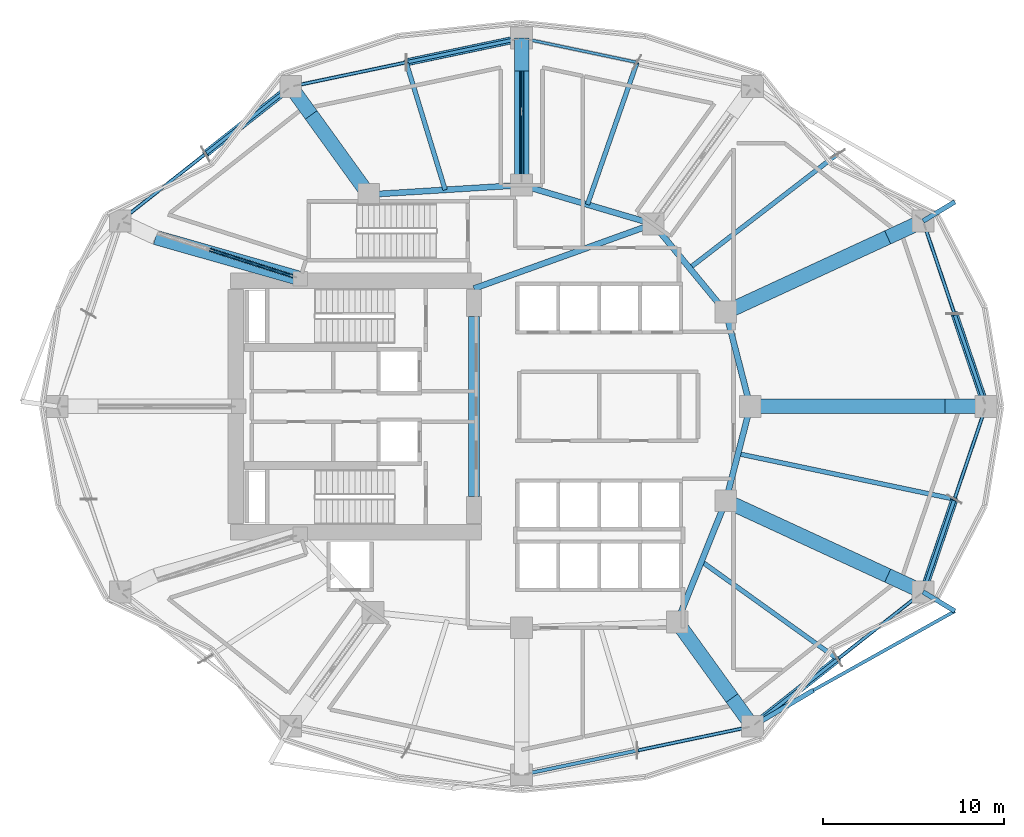
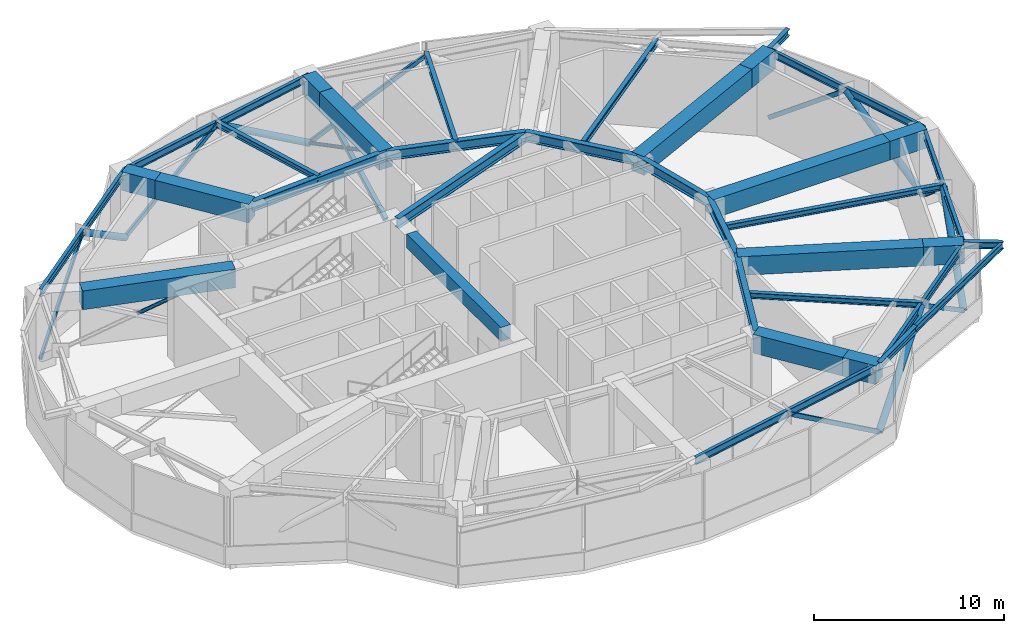
# One storey, part 2 of 12: 36 beams, 16 members.
"""IFC4 building model written with IfcOpenShell, lengths in metres."""

from ifc_helpers import new_model, si_unit, direction, frame, origin, origin_2d, place, context, subcontext, project, spatial, rectangle, hollow_rectangle, hollow_circle, i_section, extrude, material, material_profile, profile_set, type_object, element, save


model = new_model("IFC4")

# Units and contexts
model_context = context("Model", 3, precision=1e-05, world=origin(), true_north=direction((0.0, 1.0)))
body_context = subcontext(model_context, "Body", "Model", "MODEL_VIEW")
ifc_project = project(units=[si_unit("LENGTHUNIT", "METRE"), si_unit("AREAUNIT", "SQUARE_METRE"), si_unit("VOLUMEUNIT", "CUBIC_METRE"), si_unit("PLANEANGLEUNIT", "RADIAN"), si_unit("MASSUNIT", "GRAM", prefix="KILO")], contexts=[model_context])

# Site, building, storey
site_placement = place(None, origin())
site = spatial("IfcSite", under=ifc_project, at=site_placement, CompositionType="ELEMENT")
building_placement = place(site_placement, origin())
building = spatial("IfcBuilding", under=site, at=building_placement, Name="Kolvaren Gate Tower and Convention Centre", CompositionType="ELEMENT")
storey_placement = place(building_placement, frame((0.0, 0.0, 95.800048828125)))
storey = spatial("IfcBuildingStorey", under=building, at=storey_placement, Name="L23", CompositionType="ELEMENT", Elevation=95.800048828125)

# Beams
ifc_material_1 = material(Name="Structural steel ASTM A992 Grade 345 MPa", Category="steel")
ifc_material_profile_1 = material_profile(ifc_material_1, i_section(OverallWidth=0.260009765625, OverallDepth=0.419921875, WebThickness=0.013427734375, FlangeThickness=0.0224609375, at=origin_2d()), Name="W410X132")
ifc_profile_set_1 = profile_set([ifc_material_profile_1], Name="Structural steel ASTM A992 Grade 345 MPa")
beam_type_1 = type_object("IfcBeamType", Name="STR-BM-W410X132", PredefinedType="BEAM", material=ifc_profile_set_1)
beam_1_placement = place(storey_placement, frame((52.248779296875, 37.218505859375, 4.510498046875), z_axis=(0.855646014578, 0.517561491745, 0.0), x_axis=(-0.517561491745, 0.855646014578, 0.0)))
element("IfcBeam", 1, at=beam_1_placement, inside=storey, type_object=beam_type_1, Name="Tower L24 Planted Balcony Outrigger Cantilever BC-1A", PredefinedType="BEAM", context=body_context, shape_type="SweptSolid", body=[
    extrude(i_section(OverallWidth=0.260009765625, OverallDepth=0.419921875, WebThickness=0.013427734375, FlangeThickness=0.0224609375, at=origin_2d()), origin(), (0.0, 0.0, 1.0), 2.047119140625),
])
beam_2_placement = place(storey_placement, frame((42.846435546875, 9.372802734375, 4.510498046875), z_axis=(0.860504998591, 0.50944199611, 0.0), x_axis=(-0.50944199611, 0.860504998591, 0.0)))
element("IfcBeam", 2, at=beam_2_placement, inside=storey, type_object=beam_type_1, Name="Tower L24 Planted Balcony Outrigger Cantilever BC-4A", PredefinedType="BEAM", context=body_context, shape_type="SweptSolid", body=[
    extrude(i_section(OverallWidth=0.260009765625, OverallDepth=0.419921875, WebThickness=0.013427734375, FlangeThickness=0.0224609375, at=origin_2d()), origin(), (0.0, 0.0, 1.0), 3.89990234375),
])
beam_3_placement = place(storey_placement, frame((52.248779296875, 16.781494140625, 4.510498046875), z_axis=(0.855646014578, -0.517561491745, 0.0), x_axis=(0.517561491745, 0.855646014578, 0.0)))
element("IfcBeam", 3, at=beam_3_placement, inside=storey, type_object=beam_type_1, Name="Tower L24 Planted Balcony Outrigger Cantilever BC-4B", PredefinedType="BEAM", context=body_context, shape_type="SweptSolid", body=[
    extrude(i_section(OverallWidth=0.260009765625, OverallDepth=0.419921875, WebThickness=0.013427734375, FlangeThickness=0.0224609375, at=origin_2d()), origin(), (0.0, 0.0, 1.0), 2.047119140625),
])
ifc_material_profile_2 = material_profile(ifc_material_1, i_section(OverallWidth=0.327880859375, OverallDepth=0.6279296875, WebThickness=0.0166015625, FlangeThickness=0.027587890625, at=origin_2d()), Name="W610X217")
ifc_profile_set_2 = profile_set([ifc_material_profile_2], Name="Structural steel ASTM A992 Grade 345 MPa")
beam_type_2 = type_object("IfcBeamType", Name="STR-BM-W610X217", PredefinedType="BEAM", material=ifc_profile_set_2)
beam_4_placement = place(storey_placement, frame((42.72509765625, 27.0, 4.406005859375), z_axis=(-0.250091133936, -0.968222301296, 0.0), x_axis=(0.968222301296, -0.250091133936, 0.0)))
element("IfcBeam", 4, at=beam_4_placement, inside=storey, type_object=beam_type_2, Name="Tower L23 Primary Ring Girder G-01", PredefinedType="BEAM", context=body_context, shape_type="SweptSolid", body=[
    extrude(i_section(OverallWidth=0.327880859375, OverallDepth=0.6279296875, WebThickness=0.0166015625, FlangeThickness=0.027587890625, at=origin_2d()), origin(), (0.0, 0.0, 1.0), 5.3701171875),
])
beam_5_placement = place(storey_placement, frame((41.382080078125, 32.199462890625, 4.406005859375), z_axis=(-0.635884066011, 0.771784590798, 0.0), x_axis=(-0.771784590798, -0.635884066011, 0.0)))
element("IfcBeam", 5, at=beam_5_placement, inside=storey, type_object=beam_type_2, Name="Tower L23 Primary Ring Girder G-02", PredefinedType="BEAM", context=body_context, shape_type="SweptSolid", body=[
    extrude(i_section(OverallWidth=0.327880859375, OverallDepth=0.6279296875, WebThickness=0.0166015625, FlangeThickness=0.027587890625, at=origin_2d()), origin(), (0.0, 0.0, 1.0), 6.291259765625),
])
beam_6_placement = place(storey_placement, frame((37.381591796875, 37.054931640625, 4.406005859375), z_axis=(-0.958980837827, 0.283470902706, 0.0), x_axis=(-0.283470902706, -0.958980837827, 0.0)))
element("IfcBeam", 6, at=beam_6_placement, inside=storey, type_object=beam_type_2, Name="Tower L23 Primary Ring Girder G-03", PredefinedType="BEAM", context=body_context, shape_type="SweptSolid", body=[
    extrude(i_section(OverallWidth=0.327880859375, OverallDepth=0.6279296875, WebThickness=0.0166015625, FlangeThickness=0.027587890625, at=origin_2d()), origin(), (0.0, 0.0, 1.0), 7.56689453125),
])
beam_7_placement = place(storey_placement, frame((30.125, 39.199951171875, 4.406005859375), z_axis=(-0.998078258568, -0.06196603726, 0.0), x_axis=(0.06196603726, -0.998078258568, 0.0)))
element("IfcBeam", 7, at=beam_7_placement, inside=storey, type_object=beam_type_2, Name="Tower L23 Primary Ring Girder G-04", PredefinedType="BEAM", context=body_context, shape_type="SweptSolid", body=[
    extrude(i_section(OverallWidth=0.327880859375, OverallDepth=0.6279296875, WebThickness=0.0166015625, FlangeThickness=0.027587890625, at=origin_2d()), origin(), (0.0, 0.0, 1.0), 8.443115234375),
])
beam_8_placement = place(storey_placement, frame((38.6982421875, 15.12060546875, 4.406005859375), z_axis=(0.372811100169, 0.927907260232, 0.0), x_axis=(-0.927907260232, 0.372811100169, 0.0)))
element("IfcBeam", 8, at=beam_8_placement, inside=storey, type_object=beam_type_2, Name="Tower L23 Primary Ring Girder G-09", PredefinedType="BEAM", context=body_context, shape_type="SweptSolid", body=[
    extrude(i_section(OverallWidth=0.327880859375, OverallDepth=0.6279296875, WebThickness=0.0166015625, FlangeThickness=0.027587890625, at=origin_2d()), origin(), (0.0, 0.0, 1.0), 7.198974609375),
])
beam_9_placement = place(storey_placement, frame((27.5, 33.5, 4.406005859375), z_axis=(0.940961479908, 0.338513653093, 0.0), x_axis=(-0.338513653093, 0.940961479908, 0.0)))
element("IfcBeam", 9, at=beam_9_placement, inside=storey, type_object=beam_type_2, Name="Tower L23 Primary Ring Girder G-10", PredefinedType="BEAM", context=body_context, shape_type="SweptSolid", body=[
    extrude(i_section(OverallWidth=0.327880859375, OverallDepth=0.6279296875, WebThickness=0.0166015625, FlangeThickness=0.027587890625, at=origin_2d()), origin(), (0.0, 0.0, 1.0), 10.501708984375),
])
beam_10_placement = place(storey_placement, frame((42.72509765625, 27.0, 4.406005859375), z_axis=(-0.250091133936, 0.968222301296, 0.0), x_axis=(-0.968222301296, -0.250091133936, 0.0)))
element("IfcBeam", 10, at=beam_10_placement, inside=storey, type_object=beam_type_2, Name="Tower L23 Primary Ring Girder G-12", PredefinedType="BEAM", context=body_context, shape_type="SweptSolid", body=[
    extrude(i_section(OverallWidth=0.327880859375, OverallDepth=0.6279296875, WebThickness=0.0166015625, FlangeThickness=0.027587890625, at=origin_2d()), origin(), (0.0, 0.0, 1.0), 5.3701171875),
])

# Members
ifc_material_2 = material(Name="Structural steel ASTM A500 Grade C 345 MPa", Category="steel")
ifc_material_profile_3 = material_profile(ifc_material_2, hollow_circle(Radius=0.202880859375, WallThickness=0.015869140625, at=origin_2d()), Name="CHS406X15.9")
ifc_profile_set_3 = profile_set([ifc_material_profile_3], Name="Structural steel ASTM A500 Grade C 345 MPa")
member_type_1 = type_object("IfcMemberType", Name="STR-BR-CHS406", PredefinedType="BRACE", material=ifc_profile_set_3)
member_1_placement = place(storey_placement, frame((55.71240234375, 27.0, 0.25), z_axis=(-0.252478300136, 0.744940908678, 0.617509312106), x_axis=(-0.947082902393, -0.320989058996, 0.0)))
element("IfcMember", 11, at=member_1_placement, inside=storey, type_object=member_type_1, Name="Perimeter Belt Truss Diagonal BT-L23-01A", PredefinedType="BRACE", context=body_context, shape_type="SweptSolid", body=[
    extrude(hollow_circle(Radius=0.202880859375, WallThickness=0.015869140625, at=origin_2d()), origin(), (0.0, 0.0, 1.0), 6.85888671875),
])
member_2_placement = place(storey_placement, frame((30.125, 47.300048828125, 0.25), z_axis=(-0.819906333973, -0.172302121771, 0.545953828034), x_axis=(0.205656460373, -0.978624248783, 0.0)))
element("IfcMember", 12, at=member_2_placement, inside=storey, type_object=member_type_1, Name="Perimeter Belt Truss Diagonal BT-L23-04A", PredefinedType="BRACE", context=body_context, shape_type="SweptSolid", body=[
    extrude(hollow_circle(Radius=0.202880859375, WallThickness=0.015869140625, at=origin_2d()), origin(), (0.0, 0.0, 1.0), 7.7578125),
])
for number, where, z_axis, x_axis, name in (
    (13, (17.40380859375, 44.627197265625, 0.25), (-0.641186158019, -0.505204215382, 0.577623589827), (0.618892817369, -0.785475448763, 0.0), "Perimeter Belt Truss Diagonal BT-L23-05A"),
    (14, (42.846435546875, 9.372802734375, 0.25), (0.641166549876, 0.505215001105, 0.577635921648), (-0.618912646407, 0.785459824636, 0.0), "Perimeter Belt Truss Diagonal BT-L23-11A"),
):
    element("IfcMember", number, at=place(storey_placement, frame(where, z_axis=z_axis, x_axis=x_axis)), inside=storey, type_object=member_type_1, Name=name, PredefinedType="BRACE", context=body_context, shape_type="SweptSolid", body=[
        extrude(hollow_circle(Radius=0.202880859375, WallThickness=0.015869140625, at=origin_2d()), origin(), (0.0, 0.0, 1.0), 7.332275390625),
    ])
member_3_placement = place(storey_placement, frame((52.248779296875, 16.781494140625, 0.25), z_axis=(0.252518321771, 0.744918370412, 0.617520136184), x_axis=(-0.947064480109, 0.321043409084, 0.0)))
element("IfcMember", 15, at=member_3_placement, inside=storey, type_object=member_type_1, Name="Perimeter Belt Truss Diagonal BT-L23-12A", PredefinedType="BRACE", context=body_context, shape_type="SweptSolid", body=[
    extrude(hollow_circle(Radius=0.202880859375, WallThickness=0.015869140625, at=origin_2d()), origin(), (0.0, 0.0, 1.0), 6.858642578125),
])
ifc_material_profile_4 = material_profile(ifc_material_2, hollow_rectangle(XDim=0.152099609375, YDim=0.25390625, WallThickness=0.009521484375, at=origin_2d()), Name="HSS254X152X9.5")
ifc_profile_set_4 = profile_set([ifc_material_profile_4], Name="Structural steel ASTM A500 Grade C 345 MPa")
member_type_2 = type_object("IfcMemberType", Name="STR-BR-HSS254X152", PredefinedType="BRACE", material=ifc_profile_set_4)
member_4_placement = place(storey_placement, frame((52.248779296875, 37.218505859375, 0.25), z_axis=(0.252518321771, -0.744918370412, 0.617520136184), x_axis=(0.947064480109, 0.321043409084, 0.0)))
element("IfcMember", 16, at=member_4_placement, inside=storey, type_object=member_type_2, Name="Perimeter Belt Truss Diagonal BT-L23-01B", PredefinedType="BRACE", context=body_context, shape_type="SweptSolid", body=[
    extrude(hollow_rectangle(XDim=0.152099609375, YDim=0.25390625, WallThickness=0.009521484375, at=origin_2d()), origin(), (0.0, 0.0, 1.0), 6.858642578125),
])
member_5_placement = place(storey_placement, frame((30.125, 47.300048828125, 0.25), z_axis=(0.819906333973, -0.172302121771, 0.545953828034), x_axis=(0.205656460373, 0.978624248783, 0.0)))
element("IfcMember", 17, at=member_5_placement, inside=storey, type_object=member_type_2, Name="Perimeter Belt Truss Diagonal BT-L23-03B", PredefinedType="BRACE", context=body_context, shape_type="SweptSolid", body=[
    extrude(hollow_rectangle(XDim=0.152099609375, YDim=0.25390625, WallThickness=0.009521484375, at=origin_2d()), origin(), (0.0, 0.0, 1.0), 7.7578125),
])
member_6_placement = place(storey_placement, frame((17.40380859375, 44.627197265625, 0.25), z_axis=(0.819915224328, 0.172241047969, 0.545959747885), x_axis=(-0.205584510465, 0.97863936619, 0.0)))
element("IfcMember", 18, at=member_6_placement, inside=storey, type_object=member_type_2, Name="Perimeter Belt Truss Diagonal BT-L23-04B", PredefinedType="BRACE", context=body_context, shape_type="SweptSolid", body=[
    extrude(hollow_rectangle(XDim=0.152099609375, YDim=0.25390625, WallThickness=0.009521484375, at=origin_2d()), origin(), (0.0, 0.0, 1.0), 7.757568359375),
])
member_7_placement = place(storey_placement, frame((8.001220703125, 37.218505859375, 0.25), z_axis=(0.641166549876, 0.505215001105, 0.577635921648), x_axis=(-0.618912646407, 0.785459824636, 0.0)))
element("IfcMember", 19, at=member_7_placement, inside=storey, type_object=member_type_2, Name="Perimeter Belt Truss Diagonal BT-L23-05B", PredefinedType="BRACE", context=body_context, shape_type="SweptSolid", body=[
    extrude(hollow_rectangle(XDim=0.152099609375, YDim=0.25390625, WallThickness=0.009521484375, at=origin_2d()), origin(), (0.0, 0.0, 1.0), 7.332275390625),
])
member_8_placement = place(storey_placement, frame((42.846435546875, 9.372802734375, 0.25), z_axis=(-0.819925538219, -0.172236603618, 0.545945660437), x_axis=(0.20557695324, -0.978640953719, 0.0)))
element("IfcMember", 20, at=member_8_placement, inside=storey, type_object=member_type_2, Name="Perimeter Belt Truss Diagonal BT-L23-10B", PredefinedType="BRACE", context=body_context, shape_type="SweptSolid", body=[
    extrude(hollow_rectangle(XDim=0.152099609375, YDim=0.25390625, WallThickness=0.009521484375, at=origin_2d()), origin(), (0.0, 0.0, 1.0), 7.7578125),
])
member_9_placement = place(storey_placement, frame((52.248779296875, 16.781494140625, 0.25), z_axis=(-0.641166549876, -0.505215001105, 0.577635921648), x_axis=(0.618912646407, -0.785459824636, 0.0)))
element("IfcMember", 21, at=member_9_placement, inside=storey, type_object=member_type_2, Name="Perimeter Belt Truss Diagonal BT-L23-11B", PredefinedType="BRACE", context=body_context, shape_type="SweptSolid", body=[
    extrude(hollow_rectangle(XDim=0.152099609375, YDim=0.25390625, WallThickness=0.009521484375, at=origin_2d()), origin(), (0.0, 0.0, 1.0), 7.332275390625),
])
member_10_placement = place(storey_placement, frame((55.71240234375, 27.0, 0.25), z_axis=(-0.252478300136, -0.744940908678, 0.617509312106), x_axis=(0.947082902393, -0.320989058996, 0.0)))
element("IfcMember", 22, at=member_10_placement, inside=storey, type_object=member_type_2, Name="Perimeter Belt Truss Diagonal BT-L23-12B", PredefinedType="BRACE", context=body_context, shape_type="SweptSolid", body=[
    extrude(hollow_rectangle(XDim=0.152099609375, YDim=0.25390625, WallThickness=0.009521484375, at=origin_2d()), origin(), (0.0, 0.0, 1.0), 6.85888671875),
])
ifc_material_profile_5 = material_profile(ifc_material_2, hollow_rectangle(XDim=0.25390625, YDim=0.25390625, WallThickness=0.015869140625, at=origin_2d()), Name="HSS254X254X15.9")
ifc_profile_set_5 = profile_set([ifc_material_profile_5], Name="Structural steel ASTM A500 Grade C 345 MPa")
member_type_3 = type_object("IfcMemberType", Name="STR-BR-HSS254X254", PredefinedType="BRACE", material=ifc_profile_set_5)
member_11_placement = place(storey_placement, frame((30.125, 39.199951171875, 0.25), z_axis=(0.0, 0.886171108482, 0.463358140634), x_axis=(-1.0, 0.0, 0.0)))
element("IfcMember", 23, at=member_11_placement, inside=storey, type_object=member_type_3, Name="Outrigger Truss Diagonal OT-L23-05A", PredefinedType="BRACE", context=body_context, shape_type="SweptSolid", body=[
    extrude(hollow_rectangle(XDim=0.25390625, YDim=0.25390625, WallThickness=0.015869140625, at=origin_2d()), origin(), (0.0, 0.0, 1.0), 9.140625),
])

# Beams
ifc_material_profile_6 = material_profile(ifc_material_1, i_section(OverallWidth=0.2548828125, OverallDepth=0.35693359375, WebThickness=0.010498046875, FlangeThickness=0.018310546875, at=origin_2d()), Name="W360X101")
ifc_profile_set_6 = profile_set([ifc_material_profile_6], Name="Structural steel ASTM A992 Grade 345 MPa")
beam_type_3 = type_object("IfcBeamType", Name="STR-JS-W360X101", PredefinedType="JOIST", material=ifc_profile_set_6)
beam_11_placement = place(storey_placement, frame((39.3818359375, 34.627197265625, 4.54150390625), z_axis=(0.791953664744, 0.610581192716, 0.0), x_axis=(-0.610581192716, 0.791953664744, 0.0)))
element("IfcBeam", 24, at=beam_11_placement, inside=storey, type_object=beam_type_3, Name="Tower L23 Secondary Composite Floor Joist J-02.1", PredefinedType="JOIST", context=body_context, shape_type="SweptSolid", body=[
    extrude(i_section(OverallWidth=0.2548828125, OverallDepth=0.35693359375, WebThickness=0.010498046875, FlangeThickness=0.018310546875, at=origin_2d()), origin(), (0.0, 0.0, 1.0), 10.31103515625),
])
beam_12_placement = place(storey_placement, frame((33.75341796875, 38.12744140625, 4.54150390625), z_axis=(0.329233693857, 0.944248470917, 0.0), x_axis=(-0.944248470917, 0.329233693857, 0.0)))
element("IfcBeam", 25, at=beam_12_placement, inside=storey, type_object=beam_type_3, Name="Tower L23 Secondary Composite Floor Joist J-03.1", PredefinedType="JOIST", context=body_context, shape_type="SweptSolid", body=[
    extrude(i_section(OverallWidth=0.2548828125, OverallDepth=0.35693359375, WebThickness=0.010498046875, FlangeThickness=0.018310546875, at=origin_2d()), origin(), (0.0, 0.0, 1.0), 8.298583984375),
])
beam_13_placement = place(storey_placement, frame((25.91162109375, 38.938232421875, 4.54150390625), z_axis=(-0.292298748053, 0.956327058012, 0.0), x_axis=(-0.956327058012, -0.292298748053, 0.0)))
element("IfcBeam", 26, at=beam_13_placement, inside=storey, type_object=beam_type_3, Name="Tower L23 Secondary Composite Floor Joist J-04.1", PredefinedType="JOIST", context=body_context, shape_type="SweptSolid", body=[
    extrude(i_section(OverallWidth=0.2548828125, OverallDepth=0.35693359375, WebThickness=0.010498046875, FlangeThickness=0.018310546875, at=origin_2d()), origin(), (0.0, 0.0, 1.0), 7.345947265625),
])
beam_14_placement = place(storey_placement, frame((40.040283203125, 18.46044921875, 4.54150390625), z_axis=(0.812660683761, -0.582737173234, 0.0), x_axis=(0.582737173234, 0.812660683761, 0.0)))
element("IfcBeam", 27, at=beam_14_placement, inside=storey, type_object=beam_type_3, Name="Tower L23 Secondary Composite Floor Joist J-11.1", PredefinedType="JOIST", context=body_context, shape_type="SweptSolid", body=[
    extrude(i_section(OverallWidth=0.2548828125, OverallDepth=0.35693359375, WebThickness=0.010498046875, FlangeThickness=0.018310546875, at=origin_2d()), origin(), (0.0, 0.0, 1.0), 9.238037109375),
])
beam_15_placement = place(storey_placement, frame((42.0537109375, 24.400146484375, 4.54150390625), z_axis=(0.978573369431, -0.205898423114, 0.0), x_axis=(0.205898423114, 0.978573369431, 0.0)))
element("IfcBeam", 28, at=beam_15_placement, inside=storey, type_object=beam_type_3, Name="Tower L23 Secondary Composite Floor Joist J-12.1", PredefinedType="JOIST", context=body_context, shape_type="SweptSolid", body=[
    extrude(i_section(OverallWidth=0.2548828125, OverallDepth=0.35693359375, WebThickness=0.010498046875, FlangeThickness=0.018310546875, at=origin_2d()), origin(), (0.0, 0.0, 1.0), 12.188232421875),
])
ifc_material_3 = material(Name="Concrete C60/75", Category="concrete")
ifc_material_profile_7 = material_profile(ifc_material_3, rectangle(XDim=0.60009765625, YDim=0.89990234375, at=origin_2d()), Name="RC-BM-600X900")
ifc_profile_set_7 = profile_set([ifc_material_profile_7], Name="Concrete C60/75")
beam_type_4 = type_object("IfcBeamType", Name="STR-LN-RC600X900", PredefinedType="LINTEL", material=ifc_profile_set_7)
beam_16_placement = place(storey_placement, frame((27.5, 22.050048828125, 4.27001953125), z_axis=(0.0, 1.0, 0.0), x_axis=(-1.0, 0.0, 0.0)))
element("IfcBeam", 29, at=beam_16_placement, inside=storey, type_object=beam_type_4, Name="Tower L23 Core Ductile Coupling Beam CB-01", PredefinedType="LINTEL", context=body_context, shape_type="SweptSolid", body=[
    extrude(rectangle(XDim=0.60009765625, YDim=0.89990234375, at=origin_2d()), origin(), (0.0, 0.0, 1.0), 9.89990234375),
])
ifc_material_profile_8 = material_profile(ifc_material_1, i_section(OverallWidth=0.180908203125, OverallDepth=0.4169921875, WebThickness=0.010986328125, FlangeThickness=0.018310546875, at=origin_2d()), Name="W410X85")
ifc_profile_set_8 = profile_set([ifc_material_profile_8], Name="Structural steel ASTM A992 Grade 345 MPa")
beam_type_5 = type_object("IfcBeamType", Name="STR-SP-W410X85", PredefinedType="SPANDREL", material=ifc_profile_set_8)
beam_17_placement = place(storey_placement, frame((46.202392578125, 11.359619140625, 4.511962890625), z_axis=(0.872726774589, 0.488208948009, 0.0), x_axis=(-0.488208948009, 0.872726774589, 0.0)))
element("IfcBeam", 30, at=beam_17_placement, inside=storey, type_object=beam_type_5, Name="Tower L24 Planted Balcony Header Tie Beam BT-4", PredefinedType="SPANDREL", context=body_context, shape_type="SweptSolid", body=[
    extrude(i_section(OverallWidth=0.180908203125, OverallDepth=0.4169921875, WebThickness=0.010986328125, FlangeThickness=0.018310546875, at=origin_2d()), origin(), (0.0, 0.0, 1.0), 8.935302734375),
])
ifc_material_profile_9 = material_profile(ifc_material_1, i_section(OverallWidth=0.194091796875, OverallDepth=0.468994140625, WebThickness=0.0126953125, FlangeThickness=0.0205078125, at=origin_2d()), Name="W460X106")
ifc_profile_set_9 = profile_set([ifc_material_profile_9], Name="Structural steel ASTM A992 Grade 345 MPa")
beam_type_6 = type_object("IfcBeamType", Name="STR-SP-W460X106", PredefinedType="SPANDREL", material=ifc_profile_set_9)
beam_18_placement = place(storey_placement, frame((55.71240234375, 27.0, 4.4853515625), z_axis=(-0.321016233787, 0.947073691771, 0.0), x_axis=(-0.947073691771, -0.321016233787, 0.0)))
element("IfcBeam", 31, at=beam_18_placement, inside=storey, type_object=beam_type_6, Name="Tower L23 Perimeter Spandrel Beam SP-01", PredefinedType="SPANDREL", context=body_context, shape_type="SweptSolid", body=[
    extrude(i_section(OverallWidth=0.194091796875, OverallDepth=0.468994140625, WebThickness=0.0126953125, FlangeThickness=0.0205078125, at=origin_2d()), origin(), (0.0, 0.0, 1.0), 10.78955078125),
])
beam_19_placement = place(storey_placement, frame((30.125, 47.300048828125, 4.4853515625), z_axis=(-0.97863180809, -0.205620485836, 0.0), x_axis=(0.205620485836, -0.97863180809, 0.0)))
element("IfcBeam", 32, at=beam_19_placement, inside=storey, type_object=beam_type_6, Name="Tower L23 Perimeter Spandrel Beam SP-04", PredefinedType="SPANDREL", context=body_context, shape_type="SweptSolid", body=[
    extrude(i_section(OverallWidth=0.194091796875, OverallDepth=0.468994140625, WebThickness=0.0126953125, FlangeThickness=0.0205078125, at=origin_2d()), origin(), (0.0, 0.0, 1.0), 12.9990234375),
])
beam_20_placement = place(storey_placement, frame((17.40380859375, 44.627197265625, 4.4853515625), z_axis=(-0.785467636887, -0.618902731778, 0.0), x_axis=(0.618902731778, -0.785467636887, 0.0)))
element("IfcBeam", 33, at=beam_20_placement, inside=storey, type_object=beam_type_6, Name="Tower L23 Perimeter Spandrel Beam SP-05", PredefinedType="SPANDREL", context=body_context, shape_type="SweptSolid", body=[
    extrude(i_section(OverallWidth=0.194091796875, OverallDepth=0.468994140625, WebThickness=0.0126953125, FlangeThickness=0.0205078125, at=origin_2d()), origin(), (0.0, 0.0, 1.0), 11.970703125),
])
beam_21_placement = place(storey_placement, frame((30.125, 6.699951171875, 4.4853515625), z_axis=(0.978632602148, 0.205616706552, 0.0), x_axis=(-0.205616706552, 0.978632602148, 0.0)))
element("IfcBeam", 34, at=beam_21_placement, inside=storey, type_object=beam_type_6, Name="Tower L23 Perimeter Spandrel Beam SP-10", PredefinedType="SPANDREL", context=body_context, shape_type="SweptSolid", body=[
    extrude(i_section(OverallWidth=0.194091796875, OverallDepth=0.468994140625, WebThickness=0.0126953125, FlangeThickness=0.0205078125, at=origin_2d()), origin(), (0.0, 0.0, 1.0), 12.999267578125),
])
beam_22_placement = place(storey_placement, frame((42.846435546875, 9.372802734375, 4.4853515625), z_axis=(0.785459824636, 0.618912646407, 0.0), x_axis=(-0.618912646407, 0.785459824636, 0.0)))
element("IfcBeam", 35, at=beam_22_placement, inside=storey, type_object=beam_type_6, Name="Tower L23 Perimeter Spandrel Beam SP-11", PredefinedType="SPANDREL", context=body_context, shape_type="SweptSolid", body=[
    extrude(i_section(OverallWidth=0.194091796875, OverallDepth=0.468994140625, WebThickness=0.0126953125, FlangeThickness=0.0205078125, at=origin_2d()), origin(), (0.0, 0.0, 1.0), 11.970458984375),
])
beam_23_placement = place(storey_placement, frame((52.248779296875, 16.781494140625, 4.4853515625), z_axis=(0.321016233787, 0.947073691771, 0.0), x_axis=(-0.947073691771, 0.321016233787, 0.0)))
element("IfcBeam", 36, at=beam_23_placement, inside=storey, type_object=beam_type_6, Name="Tower L23 Perimeter Spandrel Beam SP-12", PredefinedType="SPANDREL", context=body_context, shape_type="SweptSolid", body=[
    extrude(i_section(OverallWidth=0.194091796875, OverallDepth=0.468994140625, WebThickness=0.0126953125, FlangeThickness=0.0205078125, at=origin_2d()), origin(), (0.0, 0.0, 1.0), 10.78955078125),
])

# Members
ifc_material_profile_10 = material_profile(ifc_material_2, hollow_circle(Radius=0.109619140625, WallThickness=0.0126953125, at=origin_2d()), Name="CHS219X12.7")
ifc_profile_set_10 = profile_set([ifc_material_profile_10], Name="Structural steel ASTM A500 Grade C 345 MPa")
member_type_4 = type_object("IfcMemberType", Name="STR-ST-CHS219", PredefinedType="STRUT", material=ifc_profile_set_10)
member_12_placement = place(storey_placement, frame((12.95751953125, 35.63427734375, 2.36767578125), z_axis=(0.882264964326, -0.281992776747, 0.376946424025), x_axis=(0.304450552314, 0.952528141944, 0.0)))
element("IfcMember", 37, at=member_12_placement, inside=storey, type_object=member_type_4, Name="Outrigger Truss Upper Counter-Strut OT-L23-01BB", PredefinedType="STRUT", context=body_context, shape_type="SweptSolid", body=[
    extrude(hollow_circle(Radius=0.109619140625, WallThickness=0.0126953125, at=origin_2d()), origin(), (0.0, 0.0, 1.0), 5.617919921875),
])
for number, where, z_axis, x_axis, name in (
    (38, (30.125, 47.300048828125, 0.25), (0.0, -0.886171108482, 0.463358140634), (1.0, 0.0, 0.0), "Outrigger Truss Lower Counter-Strut OT-L23-05BA"),
    (39, (30.125, 43.25, 2.36767578125), (0.0, -0.886171108482, 0.463358140634), (1.0, 0.0, 0.0), "Outrigger Truss Upper Counter-Strut OT-L23-05BB"),
):
    element("IfcMember", number, at=place(storey_placement, frame(where, z_axis=z_axis, x_axis=x_axis)), inside=storey, type_object=member_type_4, Name=name, PredefinedType="STRUT", context=body_context, shape_type="SweptSolid", body=[
        extrude(hollow_circle(Radius=0.109619140625, WallThickness=0.0126953125, at=origin_2d()), origin(), (0.0, 0.0, 1.0), 4.5703125),
    ])

# Beams
ifc_material_4 = material(Name="Concrete C70/85", Category="concrete")
ifc_material_profile_11 = material_profile(ifc_material_4, rectangle(XDim=0.800048828125, YDim=1.199951171875, at=origin_2d()), Name="RC-BM-800X1200")
ifc_profile_set_11 = profile_set([ifc_material_profile_11], Name="Concrete C70/85")
beam_type_7 = type_object("IfcBeamType", Name="STR-TG-RC800X1200", PredefinedType="USERDEFINED", material=ifc_profile_set_11)
beam_24_placement = place(storey_placement, frame((42.72509765625, 27.0, 4.120361328125), z_axis=(1.0, 0.0, 0.0), x_axis=(0.0, 1.0, 0.0)))
element("IfcBeam", 40, at=beam_24_placement, inside=storey, type_object=beam_type_7, Name="Tower L23 Zone-Transition Radial Transfer Girder XFG-01A", ObjectType="TRANSFER GIRDER", PredefinedType="USERDEFINED", context=body_context, shape_type="SweptSolid", body=[
    extrude(rectangle(XDim=0.800048828125, YDim=1.199951171875, at=origin_2d()), origin(), (0.0, 0.0, 1.0), 10.7373046875),
])
beam_25_placement = place(storey_placement, frame((53.46240234375, 27.0, 4.120361328125), z_axis=(1.0, 0.0, 0.0), x_axis=(0.0, 1.0, 0.0)))
element("IfcBeam", 41, at=beam_25_placement, inside=storey, type_object=beam_type_7, Name="Tower L23 Zone-Transition Radial Transfer Girder XFG-01B", ObjectType="TRANSFER GIRDER", PredefinedType="USERDEFINED", context=body_context, shape_type="SweptSolid", body=[
    extrude(rectangle(XDim=0.800048828125, YDim=1.199951171875, at=origin_2d()), origin(), (0.0, 0.0, 1.0), 2.25),
])
beam_26_placement = place(storey_placement, frame((41.382080078125, 32.199462890625, 4.120361328125), z_axis=(0.907841510795, 0.419313476146, 0.0), x_axis=(-0.419313476146, 0.907841510795, 0.0)))
element("IfcBeam", 42, at=beam_26_placement, inside=storey, type_object=beam_type_7, Name="Tower L23 Zone-Transition Radial Transfer Girder XFG-02A", ObjectType="TRANSFER GIRDER", PredefinedType="USERDEFINED", context=body_context, shape_type="SweptSolid", body=[
    extrude(rectangle(XDim=0.800048828125, YDim=1.199951171875, at=origin_2d()), origin(), (0.0, 0.0, 1.0), 9.823486328125),
])
beam_27_placement = place(storey_placement, frame((50.30029296875, 36.318603515625, 4.120361328125), z_axis=(0.907852816922, 0.419288996764, 0.0), x_axis=(-0.419288996764, 0.907852816922, 0.0)))
element("IfcBeam", 43, at=beam_27_placement, inside=storey, type_object=beam_type_7, Name="Tower L23 Zone-Transition Radial Transfer Girder XFG-02B", ObjectType="TRANSFER GIRDER", PredefinedType="USERDEFINED", context=body_context, shape_type="SweptSolid", body=[
    extrude(rectangle(XDim=0.800048828125, YDim=1.199951171875, at=origin_2d()), origin(), (0.0, 0.0, 1.0), 2.146240234375),
])
beam_28_placement = place(storey_placement, frame((30.125, 39.199951171875, 4.120361328125), z_axis=(0.0, 1.0, 0.0), x_axis=(-1.0, 0.0, 0.0)))
element("IfcBeam", 44, at=beam_28_placement, inside=storey, type_object=beam_type_7, Name="Tower L23 Zone-Transition Radial Transfer Girder XFG-04A", ObjectType="TRANSFER GIRDER", PredefinedType="USERDEFINED", context=body_context, shape_type="SweptSolid", body=[
    extrude(rectangle(XDim=0.800048828125, YDim=1.199951171875, at=origin_2d()), origin(), (0.0, 0.0, 1.0), 6.300048828125),
])
beam_29_placement = place(storey_placement, frame((30.125, 45.5, 4.120361328125), z_axis=(0.0, 1.0, 0.0), x_axis=(-1.0, 0.0, 0.0)))
element("IfcBeam", 45, at=beam_29_placement, inside=storey, type_object=beam_type_7, Name="Tower L23 Zone-Transition Radial Transfer Girder XFG-04B", ObjectType="TRANSFER GIRDER", PredefinedType="USERDEFINED", context=body_context, shape_type="SweptSolid", body=[
    extrude(rectangle(XDim=0.800048828125, YDim=1.199951171875, at=origin_2d()), origin(), (0.0, 0.0, 1.0), 1.800048828125),
])
beam_30_placement = place(storey_placement, frame((21.697998046875, 38.6767578125, 4.120361328125), z_axis=(-0.585184369967, 0.810900273243, 0.0), x_axis=(-0.810900273243, -0.585184369967, 0.0)))
element("IfcBeam", 46, at=beam_30_placement, inside=storey, type_object=beam_type_7, Name="Tower L23 Zone-Transition Radial Transfer Girder XFG-05A", ObjectType="TRANSFER GIRDER", PredefinedType="USERDEFINED", context=body_context, shape_type="SweptSolid", body=[
    extrude(rectangle(XDim=0.800048828125, YDim=1.199951171875, at=origin_2d()), origin(), (0.0, 0.0, 1.0), 5.415771484375),
])
beam_31_placement = place(storey_placement, frame((18.52880859375, 43.068359375, 4.120361328125), z_axis=(-0.585207670307, 0.810883458096, 0.0), x_axis=(-0.810883458096, -0.585207670307, 0.0)))
element("IfcBeam", 47, at=beam_31_placement, inside=storey, type_object=beam_type_7, Name="Tower L23 Zone-Transition Radial Transfer Girder XFG-05B", ObjectType="TRANSFER GIRDER", PredefinedType="USERDEFINED", context=body_context, shape_type="SweptSolid", body=[
    extrude(rectangle(XDim=0.800048828125, YDim=1.199951171875, at=origin_2d()), origin(), (0.0, 0.0, 1.0), 1.92236328125),
])
beam_32_placement = place(storey_placement, frame((17.9140625, 34.050048828125, 4.120361328125), z_axis=(-0.961746134311, 0.27394228067, 0.0), x_axis=(-0.27394228067, -0.961746134311, 0.0)))
element("IfcBeam", 48, at=beam_32_placement, inside=storey, type_object=beam_type_7, Name="Tower L23 Zone-Transition Radial Transfer Girder XFG-06A", ObjectType="TRANSFER GIRDER", PredefinedType="USERDEFINED", context=body_context, shape_type="SweptSolid", body=[
    extrude(rectangle(XDim=0.800048828125, YDim=1.199951171875, at=origin_2d()), origin(), (0.0, 0.0, 1.0), 8.28125),
])
beam_33_placement = place(storey_placement, frame((38.6982421875, 15.12060546875, 4.120361328125), z_axis=(0.585214440031, -0.810878572401, 0.0), x_axis=(0.810878572401, 0.585214440031, 0.0)))
element("IfcBeam", 49, at=beam_33_placement, inside=storey, type_object=beam_type_7, Name="Tower L23 Zone-Transition Radial Transfer Girder XFG-11A", ObjectType="TRANSFER GIRDER", PredefinedType="USERDEFINED", context=body_context, shape_type="SweptSolid", body=[
    extrude(rectangle(XDim=0.800048828125, YDim=1.199951171875, at=origin_2d()), origin(), (0.0, 0.0, 1.0), 5.166015625),
])
beam_34_placement = place(storey_placement, frame((41.721435546875, 10.931640625, 4.120361328125), z_axis=(0.585207670307, -0.810883458096, 0.0), x_axis=(0.810883458096, 0.585207670307, 0.0)))
element("IfcBeam", 50, at=beam_34_placement, inside=storey, type_object=beam_type_7, Name="Tower L23 Zone-Transition Radial Transfer Girder XFG-11B", ObjectType="TRANSFER GIRDER", PredefinedType="USERDEFINED", context=body_context, shape_type="SweptSolid", body=[
    extrude(rectangle(XDim=0.800048828125, YDim=1.199951171875, at=origin_2d()), origin(), (0.0, 0.0, 1.0), 1.92236328125),
])
beam_35_placement = place(storey_placement, frame((41.382080078125, 21.800537109375, 4.120361328125), z_axis=(0.907841510795, -0.419313476146, 0.0), x_axis=(0.419313476146, 0.907841510795, 0.0)))
element("IfcBeam", 51, at=beam_35_placement, inside=storey, type_object=beam_type_7, Name="Tower L23 Zone-Transition Radial Transfer Girder XFG-12A", ObjectType="TRANSFER GIRDER", PredefinedType="USERDEFINED", context=body_context, shape_type="SweptSolid", body=[
    extrude(rectangle(XDim=0.800048828125, YDim=1.199951171875, at=origin_2d()), origin(), (0.0, 0.0, 1.0), 9.823486328125),
])
beam_36_placement = place(storey_placement, frame((50.30029296875, 17.681396484375, 4.120361328125), z_axis=(0.907852816922, -0.419288996764, 0.0), x_axis=(0.419288996764, 0.907852816922, 0.0)))
element("IfcBeam", 52, at=beam_36_placement, inside=storey, type_object=beam_type_7, Name="Tower L23 Zone-Transition Radial Transfer Girder XFG-12B", ObjectType="TRANSFER GIRDER", PredefinedType="USERDEFINED", context=body_context, shape_type="SweptSolid", body=[
    extrude(rectangle(XDim=0.800048828125, YDim=1.199951171875, at=origin_2d()), origin(), (0.0, 0.0, 1.0), 2.146240234375),
])

save(model, "model.ifc")
